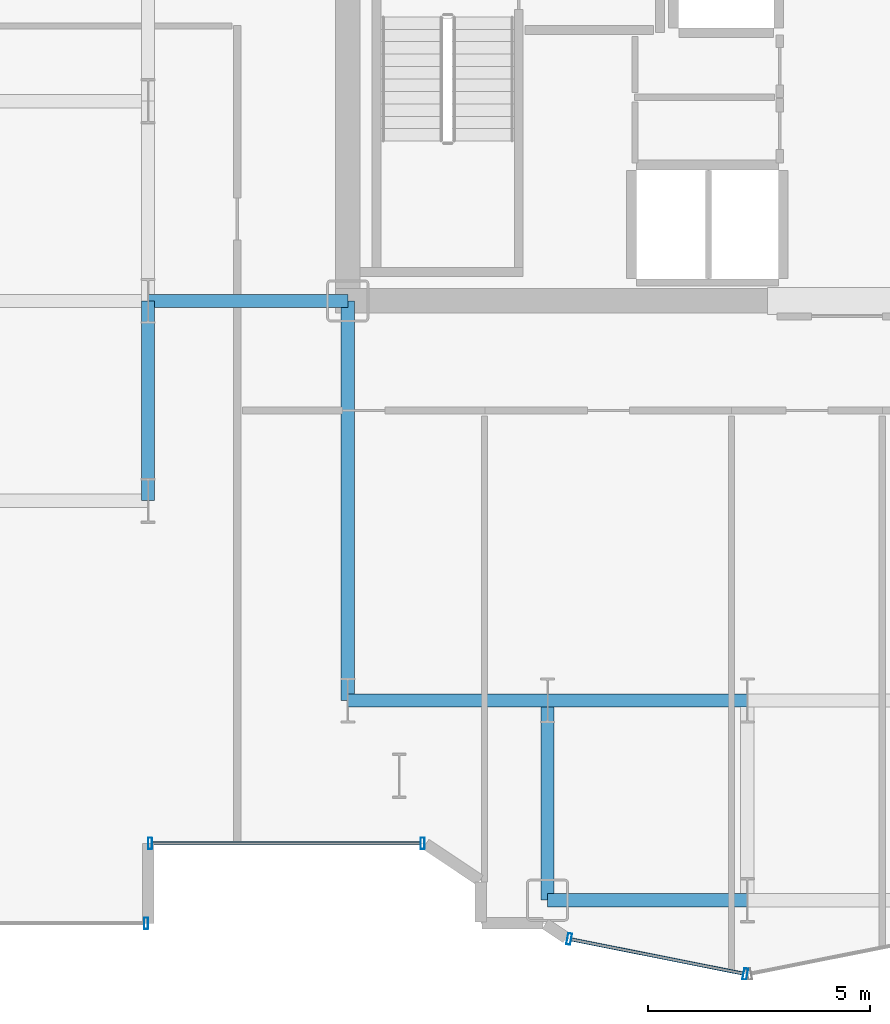
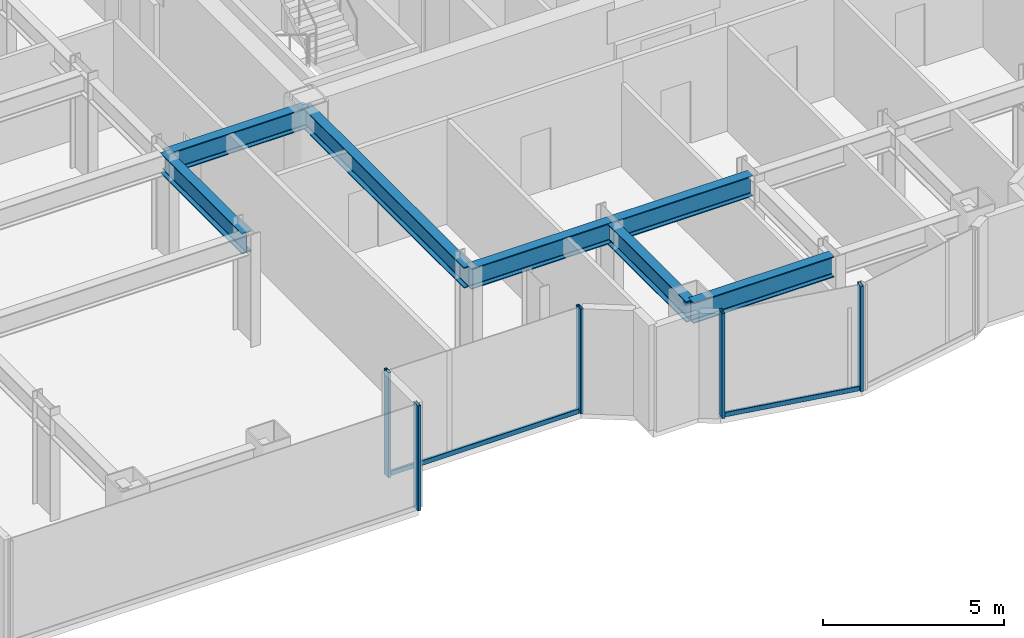
# One storey, part 4 of 26: 7 beams, 7 members, 3 elements without a shape of their own.
"""IFC4 building model written with IfcOpenShell, lengths in metres."""

from ifc_helpers import new_model, si_unit, direction, frame, origin, origin_2d, place, context, subcontext, project, spatial, hollow_rectangle, i_section, extrude, source, transform, mapped, material, layer, layer_set, material_profile, profile_set, type_object, element, aggregate, save


model = new_model("IFC4")

# Units and contexts
model_context = context("Model", 3, precision=1e-05, world=origin(), true_north=direction((0.0, 1.0)))
body_context = subcontext(model_context, "Body", "Model", "MODEL_VIEW")
ifc_project = project(units=[si_unit("LENGTHUNIT", "METRE"), si_unit("AREAUNIT", "SQUARE_METRE"), si_unit("VOLUMEUNIT", "CUBIC_METRE"), si_unit("PLANEANGLEUNIT", "RADIAN"), si_unit("MASSUNIT", "GRAM", prefix="KILO")], contexts=[model_context])

# Site, building, storey
site_placement = place(None, origin())
site = spatial("IfcSite", under=ifc_project, at=site_placement, CompositionType="ELEMENT")
building_placement = place(site_placement, origin())
building = spatial("IfcBuilding", under=site, at=building_placement, Name="Nefas-Gora Pilgrimage Tower", CompositionType="ELEMENT")
storey_placement = place(building_placement, frame((0.0, 0.0, 106.0)))
storey = spatial("IfcBuildingStorey", under=building, at=storey_placement, Name="L25", CompositionType="ELEMENT", Elevation=106.0)

# Beams
ifc_material_1 = material(Name="Steel S355", Category="steel")
ifc_material_profile_1 = material_profile(ifc_material_1, i_section(OverallWidth=0.300048828125, OverallDepth=0.699951171875, WebThickness=0.01708984375, FlangeThickness=0.031982421875, FilletRadius=0.027099609375, at=origin_2d()), Name="HEB 700")
ifc_profile_set_1 = profile_set([ifc_material_profile_1], Name="Steel S355")
beam_type = type_object("IfcBeamType", Name="BM-GIR-HEB700", PredefinedType="BEAM", material=ifc_profile_set_1)
shared_shape_1 = source(origin(), body_context, "Body", "SweptSolid", [
    extrude(i_section(OverallWidth=0.300048828125, OverallDepth=0.699951171875, WebThickness=0.01708984375, FlangeThickness=0.031982421875, FilletRadius=0.027099609375, at=origin_2d()), origin(), (0.0, 0.0, 1.0), 9.0),
])
beam_placement = place(storey_placement, frame((-11.25, -18.0, 3.199951171875), z_axis=(0.0, 1.0, 0.0), x_axis=(-1.0, 0.0, 0.0)))
element("IfcBeam", 1, at=beam_placement, inside=storey, type_object=beam_type, Name="L25 G-02 beam", PredefinedType="BEAM", context=body_context, shape_type="MappedRepresentation", body=[
    mapped(shared_shape_1, transform((0.0, 0.0, 0.0), x_axis=(1.0, 0.0, 0.0), y_axis=(0.0, 1.0, 0.0), z_axis=(0.0, 0.0, 1.0), scale=1.0)),
])
shared_shape_2 = source(origin(), body_context, "Body", "SweptSolid", [
    extrude(i_section(OverallWidth=0.300048828125, OverallDepth=0.699951171875, WebThickness=0.01708984375, FlangeThickness=0.031982421875, FilletRadius=0.027099609375, at=origin_2d()), origin(), (0.0, 0.0, 1.0), 4.5),
])
for number, where, z_axis, x_axis, name in (
    (2, (-15.75, -13.5, 3.199951171875), (0.0, 1.0, 0.0), (-1.0, 0.0, 0.0), "L25 G-02 beam"),
    (3, (-15.75, -9.0, 3.199951171875), (1.0, 0.0, 0.0), (0.0, 1.0, 0.0), "L25 G-02 beam"),
    (4, (-11.25, -18.0, 3.199951171875), (1.0, 0.0, 0.0), (0.0, 1.0, 0.0), "L25 G-02 beam"),
    (5, (-6.75, -22.5, 3.199951171875), (0.0, 1.0, 0.0), (-1.0, 0.0, 0.0), "L25 G-02 beam"),
    (6, (-6.75, -22.5, 3.199951171875), (1.0, 0.0, 0.0), (0.0, 1.0, 0.0), "L25 G-02 beam"),
    (7, (-6.75, -18.0, 3.199951171875), (1.0, 0.0, 0.0), (0.0, 1.0, 0.0), "L25 G-02 beam"),
):
    element("IfcBeam", number, at=place(storey_placement, frame(where, z_axis=z_axis, x_axis=x_axis)), inside=storey, type_object=beam_type, Name=name, PredefinedType="BEAM", context=body_context, shape_type="MappedRepresentation", body=[
        mapped(shared_shape_2, transform((0.0, 0.0, 0.0), x_axis=(1.0, 0.0, 0.0), y_axis=(0.0, 1.0, 0.0), z_axis=(0.0, 0.0, 1.0), scale=1.0)),
    ])

# Curtain wall, members
ifc_material_2 = material(Name="Dark ceramic-fritted solar-control aluminium-glass curtain wall", Category="aluminium")
ifc_layer_1 = layer(ifc_material_2, 0.219970703125)
ifc_layer_set_1 = layer_set([ifc_layer_1], Name="Dark ceramic-fritted solar-control aluminium-glass curtain wall")
curtain_wall_type_1 = type_object("IfcCurtainWallType", Name="CW-SYS-5", PredefinedType="NOTDEFINED", material=ifc_layer_set_1)
curtain_wall_1_placement = place(storey_placement, origin())
curtain_wall_1 = element("IfcCurtainWall", 8, at=curtain_wall_1_placement, inside=storey, type_object=curtain_wall_type_1, Name="L25 Unitised Curtain Wall CW5", PredefinedType="NOTDEFINED")
ifc_material_3 = material(Name="Anodised architectural aluminium", Category="aluminium")
ifc_material_profile_2 = material_profile(ifc_material_3, hollow_rectangle(XDim=0.090087890625, YDim=0.260009765625, WallThickness=0.006103515625, InnerFilletRadius=0.006103515625, OuterFilletRadius=0.011962890625, at=origin_2d()), Name="ALU MULLION 90x260")
ifc_profile_set_2 = profile_set([ifc_material_profile_2], Name="Anodised architectural aluminium")
member_type_1 = type_object("IfcMemberType", Name="CWM-MUL-5", PredefinedType="MULLION", material=ifc_profile_set_2)
shared_shape_3 = source(origin(), body_context, "Body", "SweptSolid", [
    extrude(hollow_rectangle(XDim=0.090087890625, YDim=0.260009765625, WallThickness=0.006103515625, InnerFilletRadius=0.006103515625, OuterFilletRadius=0.011962890625, at=origin_2d()), origin(), (0.0, 0.0, 1.0), 3.550048828125),
])
member_1_placement = place(storey_placement, frame((-15.705078125, -21.219970703125, 0.0), z_axis=(0.0, 0.0, 1.0), x_axis=(1.0, 0.0, 0.0)))
member_1 = element("IfcMember", 9, at=member_1_placement, type_object=member_type_1, Name="CW5 Mullion 1", PredefinedType="MULLION", context=body_context, shape_type="MappedRepresentation", body=[
    mapped(shared_shape_3, transform((0.0, 0.0, 0.0), x_axis=(1.0, 0.0, 0.0), y_axis=(0.0, 1.0, 0.0), z_axis=(0.0, 0.0, 1.0), scale=1.0)),
])
member_2_placement = place(storey_placement, frame((-9.56298828125, -21.219970703125, 0.0), z_axis=(0.0, 0.0, 1.0), x_axis=(1.0, 0.0, 0.0)))
member_2 = element("IfcMember", 10, at=member_2_placement, type_object=member_type_1, Name="CW5 Mullion 2", PredefinedType="MULLION", context=body_context, shape_type="MappedRepresentation", body=[
    mapped(shared_shape_3, transform((0.0, 0.0, 0.0), x_axis=(1.0, 0.0, 0.0), y_axis=(0.0, 1.0, 0.0), z_axis=(0.0, 0.0, 1.0), scale=1.0)),
])

curtain_wall_2_placement = place(storey_placement, origin())
curtain_wall_2 = element("IfcCurtainWall", 11, at=curtain_wall_2_placement, inside=storey, type_object=curtain_wall_type_1, Name="L25 Unitised Curtain Wall CW5", PredefinedType="NOTDEFINED")
member_3_placement = place(storey_placement, frame((-6.26318359375, -23.3740234375, 0.0), z_axis=(0.0, 0.0, 1.0), x_axis=(0.980782896852, -0.195102304554, 0.0)))
member_3 = element("IfcMember", 12, at=member_3_placement, type_object=member_type_1, Name="CW5 Mullion 1", PredefinedType="MULLION", context=body_context, shape_type="MappedRepresentation", body=[
    mapped(shared_shape_3, transform((0.0, 0.0, 0.0), x_axis=(1.0, 0.0, 0.0), y_axis=(0.0, 1.0, 0.0), z_axis=(0.0, 0.0, 1.0), scale=1.0)),
])
member_4_placement = place(storey_placement, frame((-2.294189453125, -24.16357421875, 0.0), z_axis=(0.0, 0.0, 1.0), x_axis=(0.980782896852, -0.195102304554, 0.0)))
member_4 = element("IfcMember", 13, at=member_4_placement, type_object=member_type_1, Name="CW5 Mullion 2", PredefinedType="MULLION", context=body_context, shape_type="MappedRepresentation", body=[
    mapped(shared_shape_3, transform((0.0, 0.0, 0.0), x_axis=(1.0, 0.0, 0.0), y_axis=(0.0, 1.0, 0.0), z_axis=(0.0, 0.0, 1.0), scale=1.0)),
])

# Member
ifc_material_profile_3 = material_profile(ifc_material_3, hollow_rectangle(XDim=0.080078125, YDim=0.159912109375, WallThickness=0.00439453125, InnerFilletRadius=0.00439453125, OuterFilletRadius=0.009033203125, at=origin_2d()), Name="ALU TRANSOM 80x160")
ifc_profile_set_3 = profile_set([ifc_material_profile_3], Name="Anodised architectural aluminium")
member_type_2 = type_object("IfcMemberType", Name="CWM-TRN-5", PredefinedType="USERDEFINED", material=ifc_profile_set_3)
shared_shape_4 = source(origin(), body_context, "Body", "SweptSolid", [
    extrude(hollow_rectangle(XDim=0.080078125, YDim=0.159912109375, WallThickness=0.00439453125, InnerFilletRadius=0.00439453125, OuterFilletRadius=0.009033203125, at=origin_2d()), origin(), (0.0, 0.0, 1.0), 6.052001953125),
])
member_5_placement = place(storey_placement, frame((-15.659912109375, -21.219970703125, 0.050048828125), z_axis=(1.0, 0.0, 0.0), x_axis=(0.0, 1.0, 0.0)))
member_5 = element("IfcMember", 14, at=member_5_placement, type_object=member_type_2, Name="CW5 Spandrel Transom", ObjectType="TRANSOM", PredefinedType="USERDEFINED", context=body_context, shape_type="MappedRepresentation", body=[
    mapped(shared_shape_4, transform((0.0, 0.0, 0.0), x_axis=(1.0, 0.0, 0.0), y_axis=(0.0, 1.0, 0.0), z_axis=(0.0, 0.0, 1.0), scale=1.0)),
])

aggregate(curtain_wall_1, [member_1, member_2, member_5])

# Curtain wall, member
ifc_layer_2 = layer(ifc_material_2, 0.219970703125)
ifc_layer_set_2 = layer_set([ifc_layer_2], Name="Dark ceramic-fritted solar-control aluminium-glass curtain wall")
curtain_wall_type_2 = type_object("IfcCurtainWallType", Name="CW-SYS-2", PredefinedType="NOTDEFINED", material=ifc_layer_set_2)
curtain_wall_3_placement = place(storey_placement, origin())
curtain_wall_3 = element("IfcCurtainWall", 15, at=curtain_wall_3_placement, inside=storey, type_object=curtain_wall_type_2, Name="L25 Unitised Curtain Wall CW2", PredefinedType="NOTDEFINED")
ifc_material_profile_4 = material_profile(ifc_material_3, hollow_rectangle(XDim=0.090087890625, YDim=0.260009765625, WallThickness=0.006103515625, InnerFilletRadius=0.006103515625, OuterFilletRadius=0.011962890625, at=origin_2d()), Name="ALU MULLION 90x260")
ifc_profile_set_4 = profile_set([ifc_material_profile_4], Name="Anodised architectural aluminium")
member_type_3 = type_object("IfcMemberType", Name="CWM-MUL-2", PredefinedType="MULLION", material=ifc_profile_set_4)
shared_shape_5 = source(origin(), body_context, "Body", "SweptSolid", [
    extrude(hollow_rectangle(XDim=0.090087890625, YDim=0.260009765625, WallThickness=0.006103515625, InnerFilletRadius=0.006103515625, OuterFilletRadius=0.011962890625, at=origin_2d()), origin(), (0.0, 0.0, 1.0), 3.550048828125),
])
member_6_placement = place(storey_placement, frame((-15.794921875, -23.02001953125, 0.0), z_axis=(0.0, 0.0, 1.0), x_axis=(1.0, 0.0, 0.0)))
member_6 = element("IfcMember", 16, at=member_6_placement, type_object=member_type_3, Name="CW2 Mullion 2", PredefinedType="MULLION", context=body_context, shape_type="MappedRepresentation", body=[
    mapped(shared_shape_5, transform((0.0, 0.0, 0.0), x_axis=(1.0, 0.0, 0.0), y_axis=(0.0, 1.0, 0.0), z_axis=(0.0, 0.0, 1.0), scale=1.0)),
])
aggregate(curtain_wall_3, [member_6])

# Member
shared_shape_6 = source(origin(), body_context, "Body", "SweptSolid", [
    extrude(hollow_rectangle(XDim=0.080078125, YDim=0.159912109375, WallThickness=0.00439453125, InnerFilletRadius=0.00439453125, OuterFilletRadius=0.009033203125, at=origin_2d()), origin(), (0.0, 0.0, 1.0), 3.95654296875),
])
member_7_placement = place(storey_placement, frame((-6.218994140625, -23.3828125, 0.050048828125), z_axis=(0.980781880918, -0.195107411605, 0.0), x_axis=(0.195107411605, 0.980781880918, 0.0)))
member_7 = element("IfcMember", 17, at=member_7_placement, type_object=member_type_2, Name="CW5 Spandrel Transom", ObjectType="TRANSOM", PredefinedType="USERDEFINED", context=body_context, shape_type="MappedRepresentation", body=[
    mapped(shared_shape_6, transform((0.0, 0.0, 0.0), x_axis=(1.0, 0.0, 0.0), y_axis=(0.0, 1.0, 0.0), z_axis=(0.0, 0.0, 1.0), scale=1.0)),
])

aggregate(curtain_wall_2, [member_3, member_4, member_7])

save(model, "model.ifc")
